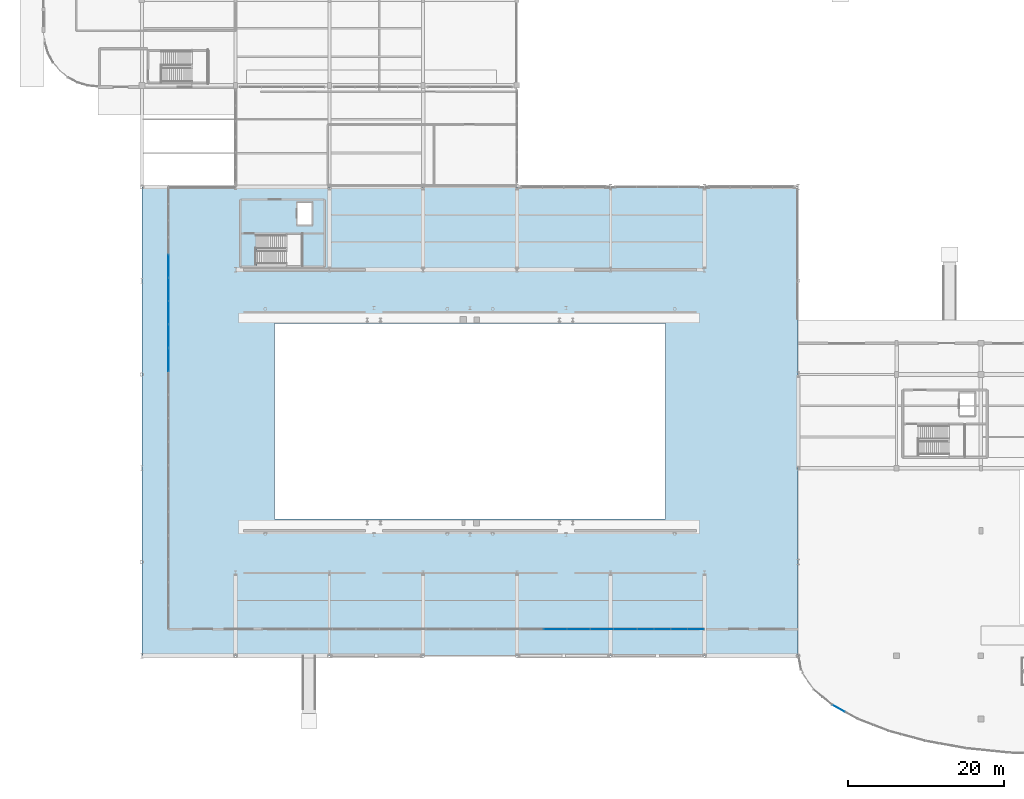
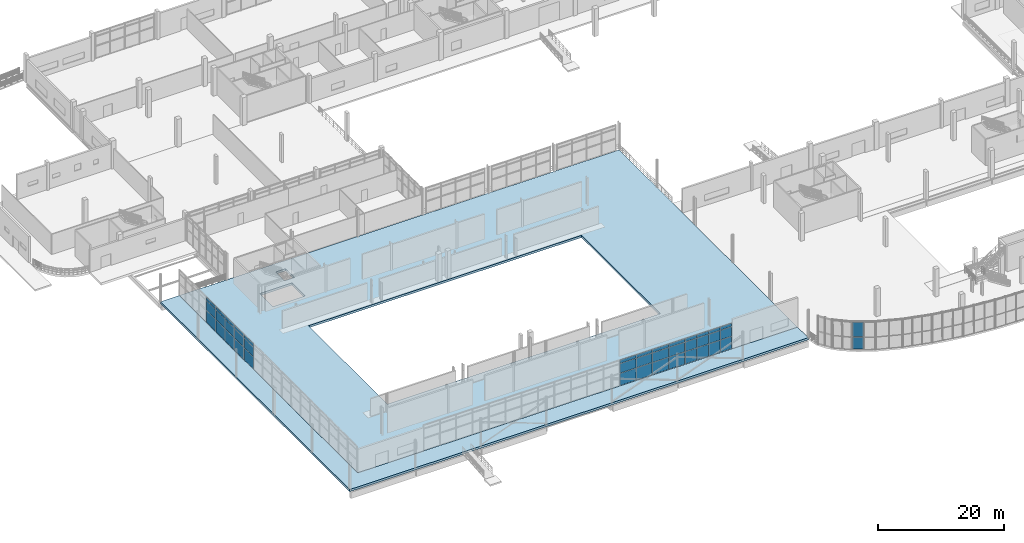
# One storey, part 47 of 85: 41 plates, 2 slabs, 5 elements without a shape of their own.
"""IFC4 building model written with IfcOpenShell, lengths in metres."""

import ifcopenshell
import ifcopenshell.guid

model = None  # the IFC model being written
_history = None  # IfcOwnerHistory: only IFC2X3 demands one
_inside = {}  # id of a spatial element -> (the spatial element, [elements in it])
_under = {}  # id of a project, library or spatial element -> (it, [spatial elements below it])
_declared = {}  # id of a project -> (the project, [libraries it declares])
_typed = {}  # id of a type object -> (the type object, [elements of that type])
_made_of = {}  # id of a material, layer set ... -> (it, [elements and type objects made of it])


def new_model(schema):
    """Start an empty IFC model of exactly this schema.

    Asked for "IFC4X3", IfcOpenShell would pick the latest addendum, in which some entities
    have other attributes; the version numbers below select the first issue.
    IFC2X3 requires an IfcOwnerHistory on every rooted entity: one is made here for all.
    """
    global model, _history
    if schema == "IFC4X3":
        model = ifcopenshell.file(schema_version=(4, 3, 0, 0))
    else:
        model = ifcopenshell.file(schema=schema)
    _inside.clear()
    _under.clear()
    _declared.clear()
    _typed.clear()
    _made_of.clear()
    _history = None
    if model.schema == "IFC2X3":
        org = make("IfcOrganization", Name="unknown")
        user = make(
            "IfcPersonAndOrganization",
            ThePerson=make("IfcPerson", FamilyName="unknown"),
            TheOrganization=org,
        )
        app = make(
            "IfcApplication",
            ApplicationDeveloper=org,
            Version="unknown",
            ApplicationFullName="unknown",
            ApplicationIdentifier="unknown",
        )
        _history = make(
            "IfcOwnerHistory",
            OwningUser=user,
            OwningApplication=app,
            ChangeAction="ADDED",
            CreationDate=0,
        )
    return model


def make(cls, **values):
    """One entity of the class cls with the attributes given. An attribute that is None is left unset."""
    return model.create_entity(
        cls, **{name: value for name, value in values.items() if value is not None}
    )


def rooted(cls, **values):
    """An entity with a GlobalId (a new one), such as an element, a storey or a relation."""
    return make(cls, GlobalId=ifcopenshell.guid.new(), OwnerHistory=_history, **values)


def si_unit(unit_type, name, prefix=None):
    """IfcSIUnit, for example si_unit("LENGTHUNIT", "METRE", prefix="MILLI")."""
    return make("IfcSIUnit", UnitType=unit_type, Prefix=prefix, Name=name)


def assignment(units):
    """IfcUnitAssignment: the units of a project."""
    return None if units is None else make("IfcUnitAssignment", Units=units)


def point(xyz):
    """IfcCartesianPoint."""
    return None if xyz is None else make("IfcCartesianPoint", Coordinates=xyz)


def direction(xyz):
    """IfcDirection."""
    return None if xyz is None else make("IfcDirection", DirectionRatios=xyz)


def frame(location, z_axis=None, x_axis=None):
    """IfcAxis2Placement3D, a coordinate frame: its origin and axes. An axis left out is left unset."""
    return make(
        "IfcAxis2Placement3D",
        Location=point(location),
        Axis=direction(z_axis),
        RefDirection=direction(x_axis),
    )


def frame_2d(location, x_axis=None):
    """IfcAxis2Placement2D, a coordinate frame in the plane: its origin and x axis."""
    return make(
        "IfcAxis2Placement2D", Location=point(location), RefDirection=direction(x_axis)
    )


def origin():
    """The frame at (0, 0, 0) with its axes left unset."""
    return frame((0.0, 0.0, 0.0))


def origin_2d():
    """The frame at (0, 0) in the plane with its x axis left unset."""
    return frame_2d((0.0, 0.0))


def place(relative_to, where):
    """IfcLocalPlacement: puts the frame where relative to a parent placement (None: the world)."""
    return make(
        "IfcLocalPlacement", PlacementRelTo=relative_to, RelativePlacement=where
    )


def context(
    kind, dimensions, precision=None, world=None, true_north=None, identifier=None
):
    """IfcGeometricRepresentationContext, for example the 3D "Model" context."""
    return make(
        "IfcGeometricRepresentationContext",
        ContextIdentifier=identifier,
        ContextType=kind,
        CoordinateSpaceDimension=dimensions,
        Precision=precision,
        WorldCoordinateSystem=world,
        TrueNorth=true_north,
    )


def subcontext(parent, identifier, kind, view, scale=None):
    """IfcGeometricRepresentationSubContext, for example "Body" below "Model"."""
    return make(
        "IfcGeometricRepresentationSubContext",
        ContextIdentifier=identifier,
        ContextType=kind,
        ParentContext=parent,
        TargetScale=scale,
        TargetView=view,
    )


def project(units=None, contexts=None):
    """IfcProject with its units and contexts."""
    return rooted(
        "IfcProject",
        Name="project",
        RepresentationContexts=contexts,
        UnitsInContext=assignment(units),
    )


def spatial(cls, under=None, at=None, **own):
    """A site, building, storey or space (cls), placed at a placement, below another one or the project."""
    s = rooted(cls, ObjectPlacement=at, **own)
    if under is not None:
        _under.setdefault(under.id(), (under, []))[1].append(s)
    return s


def polyline(points):
    """IfcPolyline through the points."""
    return make("IfcPolyline", Points=[point(p) for p in points])


def profile(cls, at=None, kind="AREA", **sizes):
    """A parametric profile (cls). Its sizes go by their IFC names, for example OverallWidth=200.0."""
    return make(cls, ProfileType=kind, Position=at, **sizes)


def rectangle(**sizes):
    """IfcRectangleProfileDef."""
    return profile("IfcRectangleProfileDef", **sizes)


def outline(outer, holes=None, kind="AREA"):
    """IfcArbitraryClosedProfileDef: a profile drawn as a closed curve; with holes, ...WithVoids."""
    if holes is None:
        return make("IfcArbitraryClosedProfileDef", ProfileType=kind, OuterCurve=outer)
    return make(
        "IfcArbitraryProfileDefWithVoids",
        ProfileType=kind,
        OuterCurve=outer,
        InnerCurves=holes,
    )


def extrude(swept, where, along, depth):
    """IfcExtrudedAreaSolid: the profile swept, set in the frame where, extruded along a direction by depth."""
    return make(
        "IfcExtrudedAreaSolid",
        SweptArea=swept,
        Position=where,
        ExtrudedDirection=direction(along),
        Depth=depth,
    )


def shape(context_of_items, identifier, shape_type, items):
    """IfcShapeRepresentation: the items that make up one representation, for example the "Body"."""
    return make(
        "IfcShapeRepresentation",
        ContextOfItems=context_of_items,
        RepresentationIdentifier=identifier,
        RepresentationType=shape_type,
        Items=items,
    )


def material(Name=None, Category=None):
    """IfcMaterial."""
    return make("IfcMaterial", Name=Name, Category=Category)


def layer(
    of_material, thickness, ventilated=None, Name=None, Category=None, Priority=None
):
    """IfcMaterialLayer: one layer of a wall or slab, of a material (None: an air gap)."""
    return make(
        "IfcMaterialLayer",
        Material=of_material,
        LayerThickness=thickness,
        IsVentilated=ventilated,
        Name=Name,
        Category=Category,
        Priority=Priority,
    )


def layer_set(layers, Name=None):
    """IfcMaterialLayerSet."""
    return make("IfcMaterialLayerSet", MaterialLayers=layers, LayerSetName=Name)


def made_of(thing, what):
    """Note that an element or type object is made of a material, layer set ...; save() writes the relation."""
    if what is not None:
        _made_of.setdefault(what.id(), (what, []))[1].append(thing)
    return thing


def type_object(cls, material=None, **own):
    """A type object (cls), such as IfcWallType, which elements share."""
    return made_of(rooted(cls, **own), material)


def element(
    cls,
    number,
    at=None,
    inside=None,
    cuts=None,
    type_object=None,
    material=None,
    context=None,
    identifier="Body",
    shape_type=None,
    held_by="IfcProductDefinitionShape",
    body=None,
    shapes=None,
    **own,
):
    """One element of the class cls, such as IfcWall. Its Tag is "e" and its number.

    at: its placement. inside: the storey or other place that contains it. cuts: it is an
    opening in that element (IfcRelVoidsElement). A single representation is given by context,
    identifier, shape_type and body (its items); several are given by shapes. held_by: the class
    of the entity that holds the representations. save() writes the other relations.
    """
    e = rooted(cls, Tag="e%d" % number, ObjectPlacement=at, **own)
    if body is not None:
        shapes = [shape(context, identifier, shape_type, body)]
    if shapes is not None:
        e.Representation = make(held_by, Representations=shapes)
    if inside is not None:
        _inside.setdefault(inside.id(), (inside, []))[1].append(e)
    if cuts is not None:
        rooted(
            "IfcRelVoidsElement", RelatingBuildingElement=cuts, RelatedOpeningElement=e
        )
    if type_object is not None:
        _typed.setdefault(type_object.id(), (type_object, []))[1].append(e)
    return made_of(e, material)


def aggregate(whole, parts):
    """IfcRelAggregates: a whole, such as a stair, and the parts it consists of."""
    return rooted("IfcRelAggregates", RelatingObject=whole, RelatedObjects=parts)


def save(model, path):
    """Write the relations noted so far, then the file.

    IfcRelAggregates (storeys below a building ...), IfcRelContainedInSpatialStructure (elements
    in a storey), IfcRelDefinesByType, IfcRelAssociatesMaterial and IfcRelDeclares: one each for
    every whole, place, type object, material and project.
    """
    for whole, parts in _under.values():
        aggregate(whole, parts)
    for where, things in _inside.values():
        rooted(
            "IfcRelContainedInSpatialStructure",
            RelatedElements=things,
            RelatingStructure=where,
        )
    for kind, things in _typed.values():
        rooted("IfcRelDefinesByType", RelatedObjects=things, RelatingType=kind)
    for what, things in _made_of.values():
        rooted("IfcRelAssociatesMaterial", RelatedObjects=things, RelatingMaterial=what)
    for by, libraries in _declared.values():
        rooted("IfcRelDeclares", RelatingContext=by, RelatedDefinitions=libraries)
    model.write(path)


model = new_model("IFC4")

# Units and contexts
model_context = context("Model", 3, precision=1e-05, world=origin(), true_north=direction((0.0, 1.0)))
body_context = subcontext(model_context, "Body", "Model", "MODEL_VIEW")
ifc_project = project(units=[si_unit("LENGTHUNIT", "METRE"), si_unit("AREAUNIT", "SQUARE_METRE"), si_unit("VOLUMEUNIT", "CUBIC_METRE"), si_unit("PLANEANGLEUNIT", "RADIAN"), si_unit("MASSUNIT", "GRAM", prefix="KILO"), si_unit("THERMODYNAMICTEMPERATUREUNIT", "KELVIN"), si_unit("POWERUNIT", "WATT")], contexts=[model_context])

# Site, building, storey
site_placement = place(None, origin())
site = spatial("IfcSite", under=ifc_project, at=site_placement, CompositionType="ELEMENT")
building_placement = place(site_placement, origin())
building = spatial("IfcBuilding", under=site, at=building_placement, Name="Solmara Park Aquatics Centre", CompositionType="ELEMENT")
storey_placement = place(building_placement, origin())
storey = spatial("IfcBuildingStorey", under=building, at=storey_placement, Name="L00", CompositionType="ELEMENT", Elevation=0.0)

# Curtain wall, plates
ifc_material_1 = material(Name="Anodised Aluminium Curtain Wall Framing", Category="aluminium")
curtain_wall_type_1 = type_object("IfcCurtainWallType", Name="ARC-CW-SYS02", PredefinedType="USERDEFINED", material=ifc_material_1)
curtain_wall_1_placement = place(storey_placement, origin())
curtain_wall_1 = element("IfcCurtainWall", 1, at=curtain_wall_1_placement, inside=storey, type_object=curtain_wall_type_1, Name="Curtain Wall CW-031", ObjectType="CURTAIN WALL", PredefinedType="USERDEFINED")
ifc_material_2 = material(Name="Double Low-E Solar-Control Glazing", Category="glass")
ifc_layer_1 = layer(ifc_material_2, 0.031982421875, Name="Double Low-E Solar-Control Glazing")
ifc_layer_set_1 = layer_set([ifc_layer_1], Name="Double Low-E Solar-Control Glazing")
plate_type_1 = type_object("IfcPlateType", Name="ARC-CWP-GLZ32-1740x2320", PredefinedType="CURTAIN_PANEL", material=ifc_layer_set_1)
plate_1_placement = place(storey_placement, frame((101.79833984375, 5.85009765625, 0.080078125), z_axis=(0.0, 0.0, 1.0), x_axis=(0.876104806664, -0.482120698311, 0.0)))
plate_1 = element("IfcPlate", 2, at=plate_1_placement, type_object=plate_type_1, Name="CW-031 panel 1", PredefinedType="CURTAIN_PANEL", context=body_context, shape_type="SweptSolid", body=[
    extrude(rectangle(XDim=1.745849609375, YDim=0.031982421875, at=origin_2d()), origin(), (0.0, 0.0, 1.0), 2.330078125),
])
ifc_layer_2 = layer(ifc_material_2, 0.031982421875, Name="Double Low-E Solar-Control Glazing")
ifc_layer_set_2 = layer_set([ifc_layer_2], Name="Double Low-E Solar-Control Glazing")
plate_type_2 = type_object("IfcPlateType", Name="ARC-CWP-GLZ32-1740x2840", PredefinedType="CURTAIN_PANEL", material=ifc_layer_set_2)
plate_2_placement = place(storey_placement, frame((101.79833984375, 5.85009765625, 2.489990234375), z_axis=(0.0, 0.0, 1.0), x_axis=(0.876104806664, -0.482120698311, 0.0)))
plate_2 = element("IfcPlate", 3, at=plate_2_placement, type_object=plate_type_2, Name="CW-031 panel 2", PredefinedType="CURTAIN_PANEL", context=body_context, shape_type="SweptSolid", body=[
    extrude(rectangle(XDim=1.745849609375, YDim=0.031982421875, at=origin_2d()), origin(), (0.0, 0.0, 1.0), 2.830078125),
])
aggregate(curtain_wall_1, [plate_1, plate_2])

curtain_wall_type_2 = type_object("IfcCurtainWallType", Name="ARC-CW-SYS01", PredefinedType="USERDEFINED", material=ifc_material_1)
curtain_wall_2_placement = place(storey_placement, origin())
curtain_wall_2 = element("IfcCurtainWall", 4, at=curtain_wall_2_placement, inside=storey, type_object=curtain_wall_type_2, Name="Curtain Wall CW-009", ObjectType="CURTAIN WALL", PredefinedType="USERDEFINED")
ifc_layer_3 = layer(ifc_material_2, 0.035888671875, Name="Double Low-E Solar-Control Glazing")
ifc_layer_set_3 = layer_set([ifc_layer_3], Name="Double Low-E Solar-Control Glazing")
plate_type_3 = type_object("IfcPlateType", Name="ARC-CWP-GLZ36-2040x1800", PredefinedType="CURTAIN_PANEL", material=ifc_layer_set_3)
plate_3_placement = place(storey_placement, frame((77.0849609375, 16.0, 2.48974609375), z_axis=(0.0, 0.0, 1.0), x_axis=(1.0, 0.0, 0.0)))
plate_3 = element("IfcPlate", 5, at=plate_3_placement, type_object=plate_type_3, Name="CW-009 panel 2", PredefinedType="CURTAIN_PANEL", context=body_context, shape_type="SweptSolid", body=[
    extrude(rectangle(XDim=2.050048828125, YDim=0.035888671875, at=origin_2d()), origin(), (0.0, 0.0, 1.0), 1.800048828125),
])
plate_4_placement = place(storey_placement, frame((79.215087890625, 16.0, 2.48974609375), z_axis=(0.0, 0.0, 1.0), x_axis=(1.0, 0.0, 0.0)))
plate_4 = element("IfcPlate", 6, at=plate_4_placement, type_object=plate_type_3, Name="CW-009 panel 5", PredefinedType="CURTAIN_PANEL", context=body_context, shape_type="SweptSolid", body=[
    extrude(rectangle(XDim=2.050048828125, YDim=0.035888671875, at=origin_2d()), origin(), (0.0, 0.0, 1.0), 1.800048828125),
])
plate_5_placement = place(storey_placement, frame((83.47509765625, 16.0, 2.48974609375), z_axis=(0.0, 0.0, 1.0), x_axis=(1.0, 0.0, 0.0)))
plate_5 = element("IfcPlate", 7, at=plate_5_placement, type_object=plate_type_3, Name="CW-009 panel 11", PredefinedType="CURTAIN_PANEL", context=body_context, shape_type="SweptSolid", body=[
    extrude(rectangle(XDim=2.050048828125, YDim=0.035888671875, at=origin_2d()), origin(), (0.0, 0.0, 1.0), 1.800048828125),
])
ifc_layer_4 = layer(ifc_material_2, 0.035888671875, Name="Double Low-E Solar-Control Glazing")
ifc_layer_set_4 = layer_set([ifc_layer_4], Name="Double Low-E Solar-Control Glazing")
plate_type_4 = type_object("IfcPlateType", Name="ARC-CWP-GLZ36-2040x2320", PredefinedType="CURTAIN_PANEL", material=ifc_layer_set_4)
plate_6_placement = place(storey_placement, frame((77.0849609375, 16.0, 0.080078125), z_axis=(0.0, 0.0, 1.0), x_axis=(1.0, 0.0, 0.0)))
plate_6 = element("IfcPlate", 8, at=plate_6_placement, type_object=plate_type_4, Name="CW-009 panel 1", PredefinedType="CURTAIN_PANEL", context=body_context, shape_type="SweptSolid", body=[
    extrude(rectangle(XDim=2.050048828125, YDim=0.035888671875, at=origin_2d()), origin(), (0.0, 0.0, 1.0), 2.330078125),
])
plate_7_placement = place(storey_placement, frame((79.215087890625, 16.0, 0.080078125), z_axis=(0.0, 0.0, 1.0), x_axis=(1.0, 0.0, 0.0)))
plate_7 = element("IfcPlate", 9, at=plate_7_placement, type_object=plate_type_4, Name="CW-009 panel 4", PredefinedType="CURTAIN_PANEL", context=body_context, shape_type="SweptSolid", body=[
    extrude(rectangle(XDim=2.050048828125, YDim=0.035888671875, at=origin_2d()), origin(), (0.0, 0.0, 1.0), 2.330078125),
])
plate_8_placement = place(storey_placement, frame((83.47509765625, 16.0, 0.080078125), z_axis=(0.0, 0.0, 1.0), x_axis=(1.0, 0.0, 0.0)))
plate_8 = element("IfcPlate", 10, at=plate_8_placement, type_object=plate_type_4, Name="CW-009 panel 10", PredefinedType="CURTAIN_PANEL", context=body_context, shape_type="SweptSolid", body=[
    extrude(rectangle(XDim=2.050048828125, YDim=0.035888671875, at=origin_2d()), origin(), (0.0, 0.0, 1.0), 2.330078125),
])
ifc_layer_5 = layer(ifc_material_2, 0.035888671875, Name="Double Low-E Solar-Control Glazing")
ifc_layer_set_5 = layer_set([ifc_layer_5], Name="Double Low-E Solar-Control Glazing")
plate_type_5 = type_object("IfcPlateType", Name="ARC-CWP-GLZ36-2060x1800", PredefinedType="CURTAIN_PANEL", material=ifc_layer_set_5)
plate_9_placement = place(storey_placement, frame((81.344970703125, 16.0, 2.48974609375), z_axis=(0.0, 0.0, 1.0), x_axis=(1.0, 0.0, 0.0)))
plate_9 = element("IfcPlate", 11, at=plate_9_placement, type_object=plate_type_5, Name="CW-009 panel 8", PredefinedType="CURTAIN_PANEL", context=body_context, shape_type="SweptSolid", body=[
    extrude(rectangle(XDim=2.050048828125, YDim=0.035888671875, at=origin_2d()), origin(), (0.0, 0.0, 1.0), 1.800048828125),
])
ifc_layer_6 = layer(ifc_material_2, 0.035888671875, Name="Double Low-E Solar-Control Glazing")
ifc_layer_set_6 = layer_set([ifc_layer_6], Name="Double Low-E Solar-Control Glazing")
plate_type_6 = type_object("IfcPlateType", Name="ARC-CWP-GLZ36-2060x2320", PredefinedType="CURTAIN_PANEL", material=ifc_layer_set_6)
plate_10_placement = place(storey_placement, frame((81.344970703125, 16.0, 0.080078125), z_axis=(0.0, 0.0, 1.0), x_axis=(1.0, 0.0, 0.0)))
plate_10 = element("IfcPlate", 12, at=plate_10_placement, type_object=plate_type_6, Name="CW-009 panel 7", PredefinedType="CURTAIN_PANEL", context=body_context, shape_type="SweptSolid", body=[
    extrude(rectangle(XDim=2.050048828125, YDim=0.035888671875, at=origin_2d()), origin(), (0.0, 0.0, 1.0), 2.330078125),
])

curtain_wall_3_placement = place(storey_placement, origin())
curtain_wall_3 = element("IfcCurtainWall", 13, at=curtain_wall_3_placement, inside=storey, type_object=curtain_wall_type_2, Name="Curtain Wall CW-007", ObjectType="CURTAIN WALL", PredefinedType="USERDEFINED")
ifc_layer_7 = layer(ifc_material_2, 0.035888671875, Name="Double Low-E Solar-Control Glazing")
ifc_layer_set_7 = layer_set([ifc_layer_7], Name="Double Low-E Solar-Control Glazing")
plate_type_7 = type_object("IfcPlateType", Name="ARC-CWP-GLZ36-2900x1800", PredefinedType="CURTAIN_PANEL", material=ifc_layer_set_7)
plate_11_placement = place(storey_placement, frame((65.510009765625, 16.0, 2.48974609375), z_axis=(0.0, 0.0, 1.0), x_axis=(1.0, 0.0, 0.0)))
plate_11 = element("IfcPlate", 14, at=plate_11_placement, type_object=plate_type_7, Name="CW-007 panel 2", PredefinedType="CURTAIN_PANEL", context=body_context, shape_type="SweptSolid", body=[
    extrude(rectangle(XDim=2.89990234375, YDim=0.035888671875, at=origin_2d()), origin(), (0.0, 0.0, 1.0), 1.800048828125),
])
plate_12_placement = place(storey_placement, frame((68.489990234375, 16.0, 2.48974609375), z_axis=(0.0, 0.0, 1.0), x_axis=(1.0, 0.0, 0.0)))
plate_12 = element("IfcPlate", 15, at=plate_12_placement, type_object=plate_type_7, Name="CW-007 panel 5", PredefinedType="CURTAIN_PANEL", context=body_context, shape_type="SweptSolid", body=[
    extrude(rectangle(XDim=2.89990234375, YDim=0.035888671875, at=origin_2d()), origin(), (0.0, 0.0, 1.0), 1.800048828125),
])
plate_13_placement = place(storey_placement, frame((71.469970703125, 16.0, 2.48974609375), z_axis=(0.0, 0.0, 1.0), x_axis=(1.0, 0.0, 0.0)))
plate_13 = element("IfcPlate", 16, at=plate_13_placement, type_object=plate_type_7, Name="CW-007 panel 8", PredefinedType="CURTAIN_PANEL", context=body_context, shape_type="SweptSolid", body=[
    extrude(rectangle(XDim=2.89990234375, YDim=0.035888671875, at=origin_2d()), origin(), (0.0, 0.0, 1.0), 1.800048828125),
])
plate_14_placement = place(storey_placement, frame((74.449951171875, 16.0, 2.48974609375), z_axis=(0.0, 0.0, 1.0), x_axis=(1.0, 0.0, 0.0)))
plate_14 = element("IfcPlate", 17, at=plate_14_placement, type_object=plate_type_7, Name="CW-007 panel 11", PredefinedType="CURTAIN_PANEL", context=body_context, shape_type="SweptSolid", body=[
    extrude(rectangle(XDim=2.89990234375, YDim=0.035888671875, at=origin_2d()), origin(), (0.0, 0.0, 1.0), 1.800048828125),
])

# Curtain wall, plate
curtain_wall_4_placement = place(storey_placement, origin())
curtain_wall_4 = element("IfcCurtainWall", 18, at=curtain_wall_4_placement, inside=storey, type_object=curtain_wall_type_2, Name="Curtain Wall CW-015", ObjectType="CURTAIN WALL", PredefinedType="USERDEFINED")
plate_15_placement = place(storey_placement, frame((16.0, 50.449951171875, 2.48974609375), z_axis=(0.0, 0.0, 1.0), x_axis=(0.0, 1.0, 0.0)))
plate_15 = element("IfcPlate", 19, at=plate_15_placement, type_object=plate_type_7, Name="CW-015 panel 11", PredefinedType="CURTAIN_PANEL", context=body_context, shape_type="SweptSolid", body=[
    extrude(rectangle(XDim=2.89990234375, YDim=0.035888671875, at=origin_2d()), origin(), (0.0, 0.0, 1.0), 1.800048828125),
])

# Curtain wall, plates
curtain_wall_5_placement = place(storey_placement, origin())
curtain_wall_5 = element("IfcCurtainWall", 20, at=curtain_wall_5_placement, inside=storey, type_object=curtain_wall_type_2, Name="Curtain Wall CW-017", ObjectType="CURTAIN WALL", PredefinedType="USERDEFINED")
plate_16_placement = place(storey_placement, frame((16.0, 53.510009765625, 2.48974609375), z_axis=(0.0, 0.0, 1.0), x_axis=(0.0, 1.0, 0.0)))
plate_16 = element("IfcPlate", 21, at=plate_16_placement, type_object=plate_type_7, Name="CW-017 panel 2", PredefinedType="CURTAIN_PANEL", context=body_context, shape_type="SweptSolid", body=[
    extrude(rectangle(XDim=2.89990234375, YDim=0.035888671875, at=origin_2d()), origin(), (0.0, 0.0, 1.0), 1.800048828125),
])
plate_17_placement = place(storey_placement, frame((16.0, 56.489990234375, 2.48974609375), z_axis=(0.0, 0.0, 1.0), x_axis=(0.0, 1.0, 0.0)))
plate_17 = element("IfcPlate", 22, at=plate_17_placement, type_object=plate_type_7, Name="CW-017 panel 5", PredefinedType="CURTAIN_PANEL", context=body_context, shape_type="SweptSolid", body=[
    extrude(rectangle(XDim=2.89990234375, YDim=0.035888671875, at=origin_2d()), origin(), (0.0, 0.0, 1.0), 1.800048828125),
])
plate_18_placement = place(storey_placement, frame((16.0, 59.469970703125, 2.48974609375), z_axis=(0.0, 0.0, 1.0), x_axis=(0.0, 1.0, 0.0)))
plate_18 = element("IfcPlate", 23, at=plate_18_placement, type_object=plate_type_7, Name="CW-017 panel 8", PredefinedType="CURTAIN_PANEL", context=body_context, shape_type="SweptSolid", body=[
    extrude(rectangle(XDim=2.89990234375, YDim=0.035888671875, at=origin_2d()), origin(), (0.0, 0.0, 1.0), 1.800048828125),
])
plate_19_placement = place(storey_placement, frame((16.0, 62.449951171875, 2.48974609375), z_axis=(0.0, 0.0, 1.0), x_axis=(0.0, 1.0, 0.0)))
plate_19 = element("IfcPlate", 24, at=plate_19_placement, type_object=plate_type_7, Name="CW-017 panel 11", PredefinedType="CURTAIN_PANEL", context=body_context, shape_type="SweptSolid", body=[
    extrude(rectangle(XDim=2.89990234375, YDim=0.035888671875, at=origin_2d()), origin(), (0.0, 0.0, 1.0), 1.800048828125),
])

# Plate
ifc_layer_8 = layer(ifc_material_2, 0.035888671875, Name="Double Low-E Solar-Control Glazing")
ifc_layer_set_8 = layer_set([ifc_layer_8], Name="Double Low-E Solar-Control Glazing")
plate_type_8 = type_object("IfcPlateType", Name="ARC-CWP-GLZ36-2900x2320", PredefinedType="CURTAIN_PANEL", material=ifc_layer_set_8)
plate_20_placement = place(storey_placement, frame((65.510009765625, 16.0, 0.080078125), z_axis=(0.0, 0.0, 1.0), x_axis=(1.0, 0.0, 0.0)))
plate_20 = element("IfcPlate", 25, at=plate_20_placement, type_object=plate_type_8, Name="CW-007 panel 1", PredefinedType="CURTAIN_PANEL", context=body_context, shape_type="SweptSolid", body=[
    extrude(rectangle(XDim=2.89990234375, YDim=0.035888671875, at=origin_2d()), origin(), (0.0, 0.0, 1.0), 2.330078125),
])

plate_21_placement = place(storey_placement, frame((68.489990234375, 16.0, 0.080078125), z_axis=(0.0, 0.0, 1.0), x_axis=(1.0, 0.0, 0.0)))
plate_21 = element("IfcPlate", 26, at=plate_21_placement, type_object=plate_type_8, Name="CW-007 panel 4", PredefinedType="CURTAIN_PANEL", context=body_context, shape_type="SweptSolid", body=[
    extrude(rectangle(XDim=2.89990234375, YDim=0.035888671875, at=origin_2d()), origin(), (0.0, 0.0, 1.0), 2.330078125),
])

plate_22_placement = place(storey_placement, frame((71.469970703125, 16.0, 0.080078125), z_axis=(0.0, 0.0, 1.0), x_axis=(1.0, 0.0, 0.0)))
plate_22 = element("IfcPlate", 27, at=plate_22_placement, type_object=plate_type_8, Name="CW-007 panel 7", PredefinedType="CURTAIN_PANEL", context=body_context, shape_type="SweptSolid", body=[
    extrude(rectangle(XDim=2.89990234375, YDim=0.035888671875, at=origin_2d()), origin(), (0.0, 0.0, 1.0), 2.330078125),
])

plate_23_placement = place(storey_placement, frame((74.449951171875, 16.0, 0.080078125), z_axis=(0.0, 0.0, 1.0), x_axis=(1.0, 0.0, 0.0)))
plate_23 = element("IfcPlate", 28, at=plate_23_placement, type_object=plate_type_8, Name="CW-007 panel 10", PredefinedType="CURTAIN_PANEL", context=body_context, shape_type="SweptSolid", body=[
    extrude(rectangle(XDim=2.89990234375, YDim=0.035888671875, at=origin_2d()), origin(), (0.0, 0.0, 1.0), 2.330078125),
])

plate_24_placement = place(storey_placement, frame((16.0, 50.449951171875, 0.080078125), z_axis=(0.0, 0.0, 1.0), x_axis=(0.0, 1.0, 0.0)))
plate_24 = element("IfcPlate", 29, at=plate_24_placement, type_object=plate_type_8, Name="CW-015 panel 10", PredefinedType="CURTAIN_PANEL", context=body_context, shape_type="SweptSolid", body=[
    extrude(rectangle(XDim=2.89990234375, YDim=0.035888671875, at=origin_2d()), origin(), (0.0, 0.0, 1.0), 2.330078125),
])

plate_25_placement = place(storey_placement, frame((16.0, 53.510009765625, 0.080078125), z_axis=(0.0, 0.0, 1.0), x_axis=(0.0, 1.0, 0.0)))
plate_25 = element("IfcPlate", 30, at=plate_25_placement, type_object=plate_type_8, Name="CW-017 panel 1", PredefinedType="CURTAIN_PANEL", context=body_context, shape_type="SweptSolid", body=[
    extrude(rectangle(XDim=2.89990234375, YDim=0.035888671875, at=origin_2d()), origin(), (0.0, 0.0, 1.0), 2.330078125),
])

plate_26_placement = place(storey_placement, frame((16.0, 56.489990234375, 0.080078125), z_axis=(0.0, 0.0, 1.0), x_axis=(0.0, 1.0, 0.0)))
plate_26 = element("IfcPlate", 31, at=plate_26_placement, type_object=plate_type_8, Name="CW-017 panel 4", PredefinedType="CURTAIN_PANEL", context=body_context, shape_type="SweptSolid", body=[
    extrude(rectangle(XDim=2.89990234375, YDim=0.035888671875, at=origin_2d()), origin(), (0.0, 0.0, 1.0), 2.330078125),
])

plate_27_placement = place(storey_placement, frame((16.0, 59.469970703125, 0.080078125), z_axis=(0.0, 0.0, 1.0), x_axis=(0.0, 1.0, 0.0)))
plate_27 = element("IfcPlate", 32, at=plate_27_placement, type_object=plate_type_8, Name="CW-017 panel 7", PredefinedType="CURTAIN_PANEL", context=body_context, shape_type="SweptSolid", body=[
    extrude(rectangle(XDim=2.89990234375, YDim=0.035888671875, at=origin_2d()), origin(), (0.0, 0.0, 1.0), 2.330078125),
])

plate_28_placement = place(storey_placement, frame((16.0, 62.449951171875, 0.080078125), z_axis=(0.0, 0.0, 1.0), x_axis=(0.0, 1.0, 0.0)))
plate_28 = element("IfcPlate", 33, at=plate_28_placement, type_object=plate_type_8, Name="CW-017 panel 10", PredefinedType="CURTAIN_PANEL", context=body_context, shape_type="SweptSolid", body=[
    extrude(rectangle(XDim=2.89990234375, YDim=0.035888671875, at=origin_2d()), origin(), (0.0, 0.0, 1.0), 2.330078125),
])

ifc_material_3 = material(Name="Insulated Anodised Aluminium Spandrel Panel", Category="aluminium")
ifc_layer_9 = layer(ifc_material_3, 0.0439453125, Name="Insulated Anodised Aluminium Spandrel Panel")
ifc_layer_set_9 = layer_set([ifc_layer_9], Name="Insulated Anodised Aluminium Spandrel Panel")
plate_type_9 = type_object("IfcPlateType", Name="ARC-CWP-SPN44-2040x620", PredefinedType="CURTAIN_PANEL", material=ifc_layer_set_9)
plate_29_placement = place(storey_placement, frame((77.0849609375, 16.0, 4.3701171875), z_axis=(0.0, 0.0, 1.0), x_axis=(1.0, 0.0, 0.0)))
plate_29 = element("IfcPlate", 34, at=plate_29_placement, type_object=plate_type_9, Name="CW-009 panel 3", PredefinedType="CURTAIN_PANEL", context=body_context, shape_type="SweptSolid", body=[
    extrude(rectangle(XDim=2.050048828125, YDim=0.0439453125, at=origin_2d()), origin(), (0.0, 0.0, 1.0), 0.6298828125),
])

plate_30_placement = place(storey_placement, frame((79.215087890625, 16.0, 4.3701171875), z_axis=(0.0, 0.0, 1.0), x_axis=(1.0, 0.0, 0.0)))
plate_30 = element("IfcPlate", 35, at=plate_30_placement, type_object=plate_type_9, Name="CW-009 panel 6", PredefinedType="CURTAIN_PANEL", context=body_context, shape_type="SweptSolid", body=[
    extrude(rectangle(XDim=2.050048828125, YDim=0.0439453125, at=origin_2d()), origin(), (0.0, 0.0, 1.0), 0.6298828125),
])

plate_31_placement = place(storey_placement, frame((83.47509765625, 16.0, 4.3701171875), z_axis=(0.0, 0.0, 1.0), x_axis=(1.0, 0.0, 0.0)))
plate_31 = element("IfcPlate", 36, at=plate_31_placement, type_object=plate_type_9, Name="CW-009 panel 12", PredefinedType="CURTAIN_PANEL", context=body_context, shape_type="SweptSolid", body=[
    extrude(rectangle(XDim=2.050048828125, YDim=0.0439453125, at=origin_2d()), origin(), (0.0, 0.0, 1.0), 0.6298828125),
])

ifc_layer_10 = layer(ifc_material_3, 0.0439453125, Name="Insulated Anodised Aluminium Spandrel Panel")
ifc_layer_set_10 = layer_set([ifc_layer_10], Name="Insulated Anodised Aluminium Spandrel Panel")
plate_type_10 = type_object("IfcPlateType", Name="ARC-CWP-SPN44-2060x620", PredefinedType="CURTAIN_PANEL", material=ifc_layer_set_10)
plate_32_placement = place(storey_placement, frame((81.344970703125, 16.0, 4.3701171875), z_axis=(0.0, 0.0, 1.0), x_axis=(1.0, 0.0, 0.0)))
plate_32 = element("IfcPlate", 37, at=plate_32_placement, type_object=plate_type_10, Name="CW-009 panel 9", PredefinedType="CURTAIN_PANEL", context=body_context, shape_type="SweptSolid", body=[
    extrude(rectangle(XDim=2.050048828125, YDim=0.0439453125, at=origin_2d()), origin(), (0.0, 0.0, 1.0), 0.6298828125),
])

aggregate(curtain_wall_2, [plate_6, plate_3, plate_29, plate_7, plate_4, plate_30, plate_10, plate_9, plate_32, plate_8, plate_5, plate_31])

ifc_layer_11 = layer(ifc_material_3, 0.0439453125, Name="Insulated Anodised Aluminium Spandrel Panel")
ifc_layer_set_11 = layer_set([ifc_layer_11], Name="Insulated Anodised Aluminium Spandrel Panel")
plate_type_11 = type_object("IfcPlateType", Name="ARC-CWP-SPN44-2900x620", PredefinedType="CURTAIN_PANEL", material=ifc_layer_set_11)
plate_33_placement = place(storey_placement, frame((65.510009765625, 16.0, 4.3701171875), z_axis=(0.0, 0.0, 1.0), x_axis=(1.0, 0.0, 0.0)))
plate_33 = element("IfcPlate", 38, at=plate_33_placement, type_object=plate_type_11, Name="CW-007 panel 3", PredefinedType="CURTAIN_PANEL", context=body_context, shape_type="SweptSolid", body=[
    extrude(rectangle(XDim=2.89990234375, YDim=0.0439453125, at=origin_2d()), origin(), (0.0, 0.0, 1.0), 0.6298828125),
])

plate_34_placement = place(storey_placement, frame((68.489990234375, 16.0, 4.3701171875), z_axis=(0.0, 0.0, 1.0), x_axis=(1.0, 0.0, 0.0)))
plate_34 = element("IfcPlate", 39, at=plate_34_placement, type_object=plate_type_11, Name="CW-007 panel 6", PredefinedType="CURTAIN_PANEL", context=body_context, shape_type="SweptSolid", body=[
    extrude(rectangle(XDim=2.89990234375, YDim=0.0439453125, at=origin_2d()), origin(), (0.0, 0.0, 1.0), 0.6298828125),
])

plate_35_placement = place(storey_placement, frame((71.469970703125, 16.0, 4.3701171875), z_axis=(0.0, 0.0, 1.0), x_axis=(1.0, 0.0, 0.0)))
plate_35 = element("IfcPlate", 40, at=plate_35_placement, type_object=plate_type_11, Name="CW-007 panel 9", PredefinedType="CURTAIN_PANEL", context=body_context, shape_type="SweptSolid", body=[
    extrude(rectangle(XDim=2.89990234375, YDim=0.0439453125, at=origin_2d()), origin(), (0.0, 0.0, 1.0), 0.6298828125),
])

plate_36_placement = place(storey_placement, frame((74.449951171875, 16.0, 4.3701171875), z_axis=(0.0, 0.0, 1.0), x_axis=(1.0, 0.0, 0.0)))
plate_36 = element("IfcPlate", 41, at=plate_36_placement, type_object=plate_type_11, Name="CW-007 panel 12", PredefinedType="CURTAIN_PANEL", context=body_context, shape_type="SweptSolid", body=[
    extrude(rectangle(XDim=2.89990234375, YDim=0.0439453125, at=origin_2d()), origin(), (0.0, 0.0, 1.0), 0.6298828125),
])

aggregate(curtain_wall_3, [plate_20, plate_11, plate_33, plate_21, plate_12, plate_34, plate_22, plate_13, plate_35, plate_23, plate_14, plate_36])

plate_37_placement = place(storey_placement, frame((16.0, 50.449951171875, 4.3701171875), z_axis=(0.0, 0.0, 1.0), x_axis=(0.0, 1.0, 0.0)))
plate_37 = element("IfcPlate", 42, at=plate_37_placement, type_object=plate_type_11, Name="CW-015 panel 12", PredefinedType="CURTAIN_PANEL", context=body_context, shape_type="SweptSolid", body=[
    extrude(rectangle(XDim=2.89990234375, YDim=0.0439453125, at=origin_2d()), origin(), (0.0, 0.0, 1.0), 0.6298828125),
])

aggregate(curtain_wall_4, [plate_24, plate_15, plate_37])

plate_38_placement = place(storey_placement, frame((16.0, 53.510009765625, 4.3701171875), z_axis=(0.0, 0.0, 1.0), x_axis=(0.0, 1.0, 0.0)))
plate_38 = element("IfcPlate", 43, at=plate_38_placement, type_object=plate_type_11, Name="CW-017 panel 3", PredefinedType="CURTAIN_PANEL", context=body_context, shape_type="SweptSolid", body=[
    extrude(rectangle(XDim=2.89990234375, YDim=0.0439453125, at=origin_2d()), origin(), (0.0, 0.0, 1.0), 0.6298828125),
])

plate_39_placement = place(storey_placement, frame((16.0, 56.489990234375, 4.3701171875), z_axis=(0.0, 0.0, 1.0), x_axis=(0.0, 1.0, 0.0)))
plate_39 = element("IfcPlate", 44, at=plate_39_placement, type_object=plate_type_11, Name="CW-017 panel 6", PredefinedType="CURTAIN_PANEL", context=body_context, shape_type="SweptSolid", body=[
    extrude(rectangle(XDim=2.89990234375, YDim=0.0439453125, at=origin_2d()), origin(), (0.0, 0.0, 1.0), 0.6298828125),
])

plate_40_placement = place(storey_placement, frame((16.0, 59.469970703125, 4.3701171875), z_axis=(0.0, 0.0, 1.0), x_axis=(0.0, 1.0, 0.0)))
plate_40 = element("IfcPlate", 45, at=plate_40_placement, type_object=plate_type_11, Name="CW-017 panel 9", PredefinedType="CURTAIN_PANEL", context=body_context, shape_type="SweptSolid", body=[
    extrude(rectangle(XDim=2.89990234375, YDim=0.0439453125, at=origin_2d()), origin(), (0.0, 0.0, 1.0), 0.6298828125),
])

plate_41_placement = place(storey_placement, frame((16.0, 62.449951171875, 4.3701171875), z_axis=(0.0, 0.0, 1.0), x_axis=(0.0, 1.0, 0.0)))
plate_41 = element("IfcPlate", 46, at=plate_41_placement, type_object=plate_type_11, Name="CW-017 panel 12", PredefinedType="CURTAIN_PANEL", context=body_context, shape_type="SweptSolid", body=[
    extrude(rectangle(XDim=2.89990234375, YDim=0.0439453125, at=origin_2d()), origin(), (0.0, 0.0, 1.0), 0.6298828125),
])

aggregate(curtain_wall_5, [plate_25, plate_16, plate_38, plate_26, plate_17, plate_39, plate_27, plate_18, plate_40, plate_28, plate_19, plate_41])

# Slabs
ifc_material_4 = material(Name="Watertight Concrete C45/55", Category="concrete")
ifc_layer_12 = layer(ifc_material_4, 0.419921875, Name="Watertight Concrete C45/55")
ifc_layer_set_12 = layer_set([ifc_layer_12], Name="Watertight Concrete C45/55")
slab_type = type_object("IfcSlabType", Name="STR-SLB-DECK420", PredefinedType="FLOOR", material=ifc_layer_set_12)
slab_1_placement = place(storey_placement, frame((0.0, 0.0, -0.419921875)))
element("IfcSlab", 47, at=slab_1_placement, inside=storey, type_object=slab_type, Name="Competition Pool Hall L00 Surround Deck", PredefinedType="FLOOR", context=body_context, shape_type="SweptSolid", body=[
    extrude(outline(polyline([(16.0, 16.0), (96.60009765625, 16.0), (96.60009765625, 72.60009765625), (16.0, 72.60009765625), (16.0, 16.0)]), holes=[polyline([(29.60009765625, 30.10009765625), (79.60009765625, 30.10009765625), (79.60009765625, 55.10009765625), (29.60009765625, 55.10009765625), (29.60009765625, 30.10009765625)]), polyline([(27.35009765625, 62.530029296875), (33.25, 62.530029296875), (33.25, 66.669921875), (27.35009765625, 66.669921875), (27.35009765625, 62.530029296875)]), polyline([(32.52001953125, 67.800048828125), (34.35009765625, 67.800048828125), (34.35009765625, 70.60009765625), (32.52001953125, 70.60009765625), (32.52001953125, 67.800048828125)])]), origin(), (0.0, 0.0, 1.0), 0.419921875),
])
slab_2_placement = place(storey_placement, frame((0.0, 0.0, -0.419921875)))
element("IfcSlab", 48, at=slab_2_placement, inside=storey, type_object=slab_type, Name="Competition Hall Colonnade Promenade Slab", PredefinedType="FLOOR", context=body_context, shape_type="SweptSolid", body=[
    extrude(outline(polyline([(12.60009765625, 12.60009765625), (96.60009765625, 12.60009765625), (96.60009765625, 16.0), (16.0, 16.0), (16.0, 72.60009765625), (12.60009765625, 72.60009765625), (12.60009765625, 12.60009765625)])), origin(), (0.0, 0.0, 1.0), 0.419921875),
])

save(model, "model.ifc")
